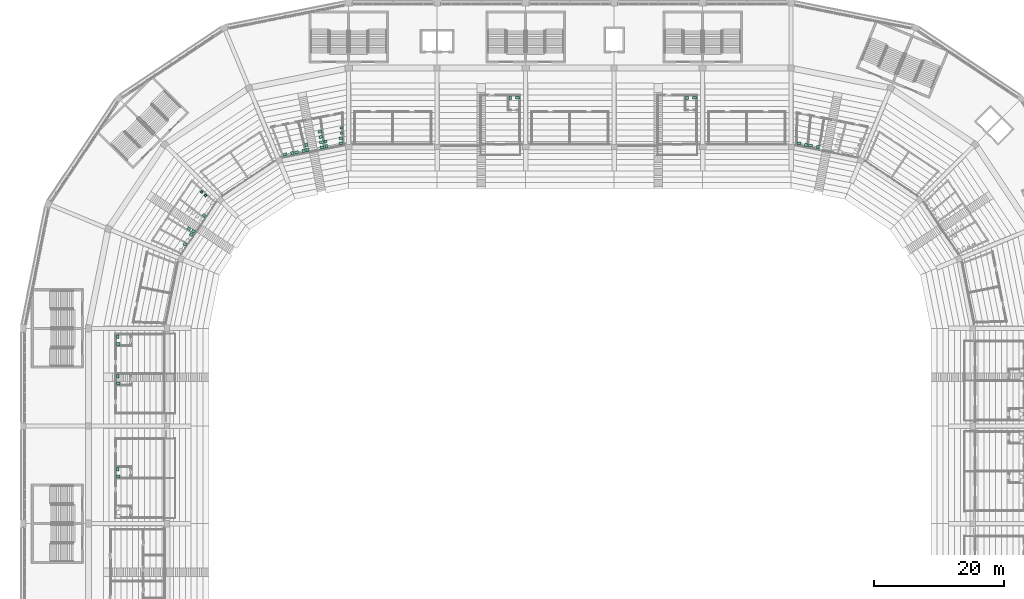
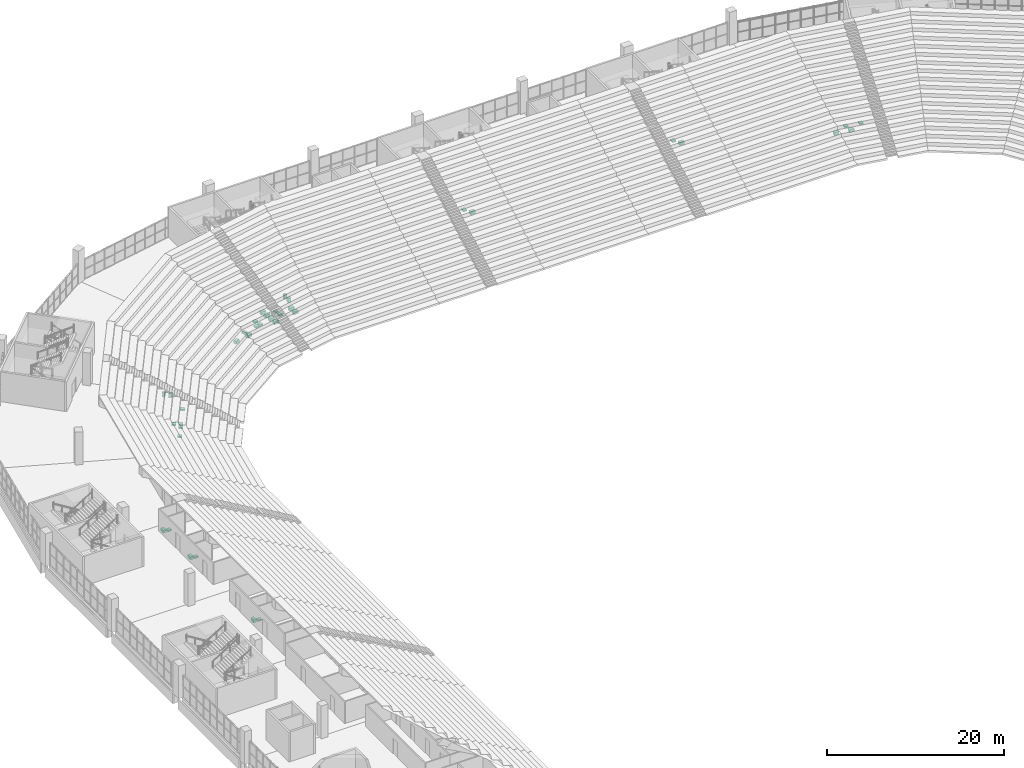
# One storey, part 248 of 249: 37 sanitary terminals.
"""IFC4 building model written with IfcOpenShell, lengths in metres."""

from ifc_helpers import new_model, si_unit, direction, frame, origin, origin_2d, place, context, subcontext, project, spatial, rectangle, extrude, material, type_object, element, save


model = new_model("IFC4")

# Units and contexts
model_context = context("Model", 3, precision=1e-05, world=origin(), true_north=direction((0.0, 1.0)))
body_context = subcontext(model_context, "Body", "Model", "MODEL_VIEW")
ifc_project = project(units=[si_unit("LENGTHUNIT", "METRE"), si_unit("AREAUNIT", "SQUARE_METRE"), si_unit("VOLUMEUNIT", "CUBIC_METRE"), si_unit("PLANEANGLEUNIT", "RADIAN"), si_unit("MASSUNIT", "GRAM", prefix="KILO")], contexts=[model_context])

# Site, building, storey
site_placement = place(None, origin())
site = spatial("IfcSite", under=ifc_project, at=site_placement, CompositionType="ELEMENT")
building_placement = place(site_placement, origin())
building = spatial("IfcBuilding", under=site, at=building_placement, Name="Ogive Plaza Stadium", CompositionType="ELEMENT")
storey_placement = place(building_placement, frame((0.0, 0.0, 13.5)))
storey = spatial("IfcBuildingStorey", under=building, at=storey_placement, Name="L03", CompositionType="ELEMENT", Elevation=13.5)

# Sanitary terminals
ifc_material_1 = material(Name="Vitreous china", Category="ceramic")
sanitary_terminal_type_1 = type_object("IfcSanitaryTerminalType", Name="Drinking fountain", PredefinedType="SANITARYFOUNTAIN", material=ifc_material_1)
sanitary_terminal_placement = place(storey_placement, frame((-37.548095703125, 81.249267578125, 0.7998046875), z_axis=(0.0, 0.0, 1.0), x_axis=(-0.129337315444, 0.991600654918, 0.0)))
element("IfcSanitaryTerminal", 1, at=sanitary_terminal_placement, inside=storey, type_object=sanitary_terminal_type_1, Name="Drinking fountain L03-125", PredefinedType="SANITARYFOUNTAIN", context=body_context, shape_type="SweptSolid", body=[
    extrude(rectangle(XDim=0.449951171875, YDim=0.39990234375, at=origin_2d()), origin(), (0.0, 0.0, 1.0), 0.199951171875),
])
ifc_material_2 = material(Name="Vitreous china", Category="ceramic")
sanitary_terminal_type_2 = type_object("IfcSanitaryTerminalType", Name="Lavatory", PredefinedType="WASHHANDBASIN", material=ifc_material_2)
for number, where, z_axis, x_axis, name in (
    (2, (-56.208251953125, 69.8671875, 0.7998046875), (0.0, 0.0, 1.0), (-0.792622840132, 0.609712254511, 0.0), "Lavatory L03-119"),
    (3, (-37.423095703125, 80.48388671875, 0.7998046875), (0.0, 0.0, 1.0), (-0.129337315444, 0.991600654918, 0.0), "Lavatory L03-125"),
    (4, (-57.86669921875, 67.428466796875, 0.7998046875), (0.0, 0.0, 1.0), (-0.852021277616, 0.523507156101, 0.0), "Lavatory L03-120"),
    (5, (-58.548095703125, 67.84716796875, 0.7998046875), (0.0, 0.0, 1.0), (-0.852021277616, 0.523507156101, 0.0), "Lavatory L03-120"),
    (6, (-40.3203125, 79.93212890625, 0.7998046875), (0.0, 0.0, 1.0), (-0.232294563039, 0.972645483197, 0.0), "Lavatory L03-126"),
    (7, (-40.506103515625, 80.710205078125, 0.7998046875), (0.0, 0.0, 1.0), (-0.232294563039, 0.972645483197, 0.0), "Lavatory L03-126"),
    (8, (-69.425048828125, 29.77490234375, 0.7998046875), (0.0, 0.0, 1.0), (1.0, 0.0, 0.0), "Lavatory L03-109"),
    (9, (-69.425048828125, 50.125, 0.7998046875), (0.0, 0.0, 1.0), (1.0, 0.0, 0.0), "Lavatory L03-113"),
    (10, (-69.425048828125, 44.050048828125, 0.7998046875), (0.0, 0.0, 1.0), (1.0, 0.0, 0.0), "Lavatory L03-115"),
    (11, (-58.1787109375, 66.92822265625, 0.7998046875), (0.0, 0.0, 1.0), (-0.854606592854, 0.519276007005, 0.0), "Lavatory L03-121"),
    (12, (-59.169189453125, 65.41748046875, 0.7998046875), (0.0, 0.0, 1.0), (-0.886013482727, 0.463659474643, 0.0), "Lavatory L03-122"),
    (13, (-40.894775390625, 79.79931640625, 0.7998046875), (0.0, 0.0, 1.0), (-0.237114531193, 0.971481702914, 0.0), "Lavatory L03-127"),
    (14, (-42.663330078125, 79.431396484375, 0.7998046875), (0.0, 0.0, 1.0), (-0.298649383178, 0.95436290054, 0.0), "Lavatory L03-128"),
    (15, (-9.175048828125, 87.925048828125, 0.7998046875), (0.0, 0.0, 1.0), (0.0, -1.0, 0.0), "Lavatory L03-132"),
    (16, (18.02490234375, 87.925048828125, 0.7998046875), (0.0, 0.0, 1.0), (0.0, -1.0, 0.0), "Lavatory L03-137"),
    (17, (38.0771484375, 80.359619140625, 0.7998046875), (0.0, 0.0, 1.0), (0.152704690321, 0.988271864192, 0.0), "Lavatory L03-143"),
    (18, (36.30224609375, 80.69677734375, 0.7998046875), (0.0, 0.0, 1.0), (0.089302817986, 0.996004521425, 0.0), "Lavatory L03-144"),
):
    element("IfcSanitaryTerminal", number, at=place(storey_placement, frame(where, z_axis=z_axis, x_axis=x_axis)), inside=storey, type_object=sanitary_terminal_type_2, Name=name, PredefinedType="WASHHANDBASIN", context=body_context, shape_type="SweptSolid", body=[
        extrude(rectangle(XDim=0.5, YDim=0.449951171875, at=origin_2d()), origin(), (0.0, 0.0, 1.0), 0.199951171875),
    ])
ifc_material_3 = material(Name="Vitreous china", Category="ceramic")
sanitary_terminal_type_3 = type_object("IfcSanitaryTerminalType", Name="Urinal", PredefinedType="URINAL", material=ifc_material_3)
for number, where, z_axis, x_axis, name in (
    (19, (-56.01318359375, 72.939208984375, 0.599853515625), (0.0, 0.0, 1.0), (-0.728841970378, 0.684681956982, 0.0), "Urinal L03-119"),
    (20, (-56.59619140625, 73.487060546875, 0.599853515625), (0.0, 0.0, 1.0), (-0.728841970378, 0.684681956982, 0.0), "Urinal L03-119"),
    (21, (-35.11279296875, 82.518310546875, 0.599853515625), (0.0, 0.0, 1.0), (-0.03122584493, 0.999512354405, 0.0), "Urinal L03-125"),
    (22, (-35.137939453125, 83.318115234375, 0.599853515625), (0.0, 0.0, 1.0), (-0.03122584493, 0.999512354405, 0.0), "Urinal L03-125"),
):
    element("IfcSanitaryTerminal", number, at=place(storey_placement, frame(where, z_axis=z_axis, x_axis=x_axis)), inside=storey, type_object=sanitary_terminal_type_3, Name=name, PredefinedType="URINAL", context=body_context, shape_type="SweptSolid", body=[
        extrude(rectangle(XDim=0.35009765625, YDim=0.35009765625, at=origin_2d()), origin(), (0.0, 0.0, 1.0), 0.60009765625),
    ])
ifc_material_4 = material(Name="Vitreous china", Category="ceramic")
sanitary_terminal_type_4 = type_object("IfcSanitaryTerminalType", Name="Water closet", PredefinedType="TOILETPAN", material=ifc_material_4)
for number, where, z_axis, x_axis, name in (
    (23, (-35.188720703125, 80.940185546875, 0.0), (0.0, 0.0, 1.0), (-0.03122584493, 0.999512354405, 0.0), "Water closet L03-125"),
    (24, (-35.213623046875, 81.739990234375, 0.0), (0.0, 0.0, 1.0), (-0.03122584493, 0.999512354405, 0.0), "Water closet L03-125"),
    (25, (-38.07373046875, 80.337890625, 0.0), (0.0, 0.0, 1.0), (-0.134238701493, 0.990949025441, 0.0), "Water closet L03-126"),
    (26, (-38.18115234375, 81.130615234375, 0.0), (0.0, 0.0, 1.0), (-0.134238701493, 0.990949025441, 0.0), "Water closet L03-126"),
    (27, (-38.28857421875, 81.923583984375, 0.0), (0.0, 0.0, 1.0), (-0.134238701493, 0.990949025441, 0.0), "Water closet L03-126"),
    (28, (-38.39599609375, 82.71630859375, 0.0), (0.0, 0.0, 1.0), (-0.134238701493, 0.990949025441, 0.0), "Water closet L03-126"),
    (29, (-69.47509765625, 30.875, 0.0), (0.0, 0.0, 1.0), (1.0, 0.0, 0.0), "Water closet L03-109"),
    (30, (-69.47509765625, 51.22509765625, 0.0), (0.0, 0.0, 1.0), (1.0, 0.0, 0.0), "Water closet L03-113"),
    (31, (-69.47509765625, 45.14990234375, 0.0), (0.0, 0.0, 1.0), (1.0, 0.0, 0.0), "Water closet L03-115"),
    (32, (-42.01025390625, 79.56640625, 0.0), (0.0, 0.0, 1.0), (-0.293958583655, 0.955818157965, 0.0), "Water closet L03-127"),
    (33, (-43.785400390625, 79.230224609375, 0.0), (0.0, 0.0, 1.0), (-0.353647899459, 0.935378620243, 0.0), "Water closet L03-128"),
    (34, (-8.074951171875, 87.97509765625, 0.0), (0.0, 0.0, 1.0), (0.0, -1.0, 0.0), "Water closet L03-132"),
    (35, (19.125, 87.97509765625, 0.0), (0.0, 0.0, 1.0), (0.0, -1.0, 0.0), "Water closet L03-137"),
    (36, (36.957275390625, 80.571533203125, 0.0), (0.0, 0.0, 1.0), (0.094193454562, 0.995553912713, 0.0), "Water closet L03-143"),
    (37, (35.188720703125, 80.940185546875, 0.0), (0.0, 0.0, 1.0), (0.03122584493, 0.999512354405, 0.0), "Water closet L03-144"),
):
    element("IfcSanitaryTerminal", number, at=place(storey_placement, frame(where, z_axis=z_axis, x_axis=x_axis)), inside=storey, type_object=sanitary_terminal_type_4, Name=name, PredefinedType="TOILETPAN", context=body_context, shape_type="SweptSolid", body=[
        extrude(rectangle(XDim=0.39990234375, YDim=0.60009765625, at=origin_2d()), origin(), (0.0, 0.0, 1.0), 0.39990234375),
    ])

save(model, "model.ifc")
